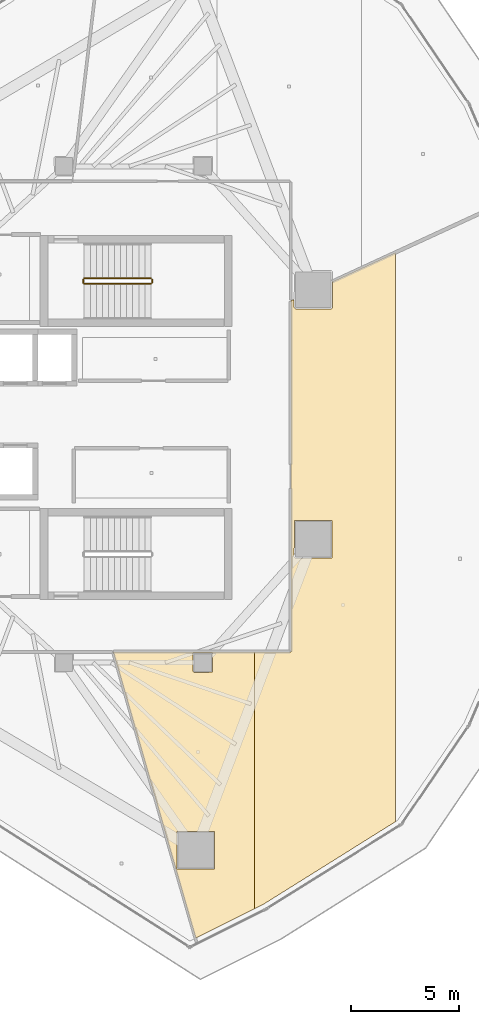
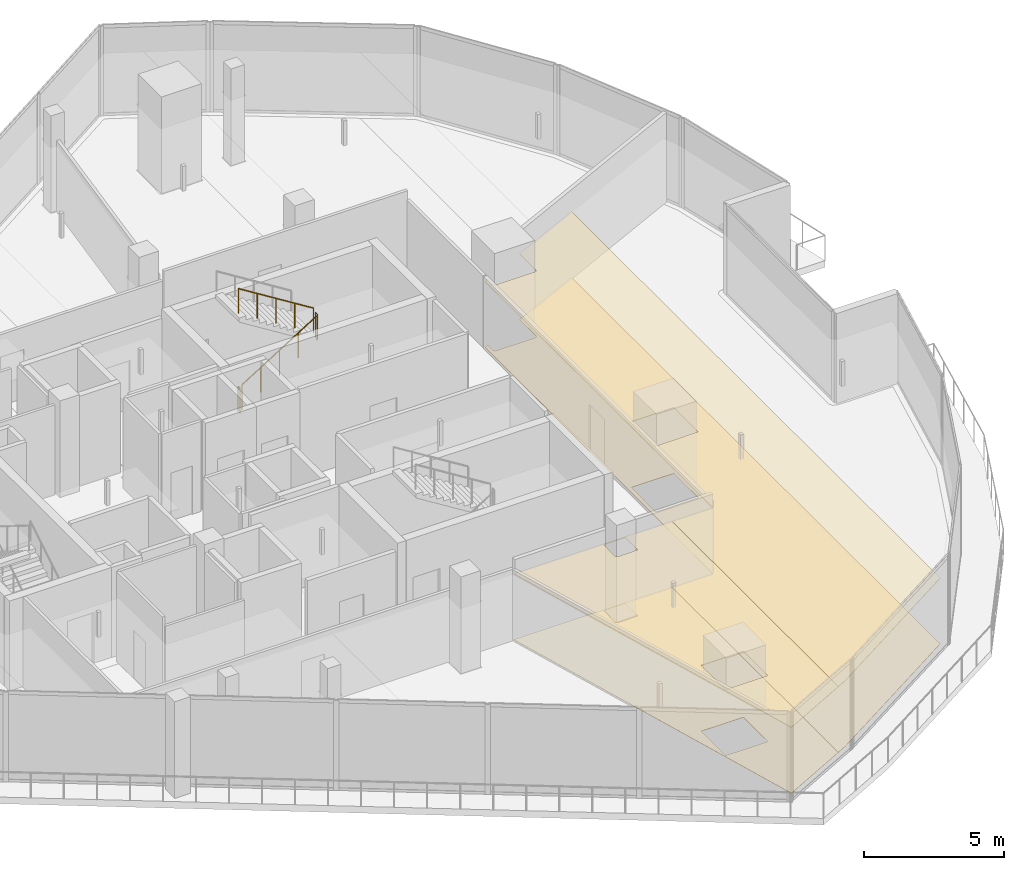
# One storey, part 30 of 31: 4 coverings, 4 railings.
"""IFC4 building model written with IfcOpenShell, lengths in metres."""

from ifc_helpers import new_model, si_unit, direction, frame, origin, origin_2d, place, context, subcontext, project, spatial, polyline, circle, outline, extrude, material, layer, layer_set, type_object, element, save


model = new_model("IFC4")

# Units and contexts
model_context = context("Model", 3, precision=1e-05, world=origin(), true_north=direction((0.0, 1.0)))
body_context = subcontext(model_context, "Body", "Model", "MODEL_VIEW")
ifc_project = project(units=[si_unit("LENGTHUNIT", "METRE"), si_unit("AREAUNIT", "SQUARE_METRE"), si_unit("VOLUMEUNIT", "CUBIC_METRE"), si_unit("PLANEANGLEUNIT", "RADIAN"), si_unit("MASSUNIT", "GRAM", prefix="KILO")], contexts=[model_context])

# Site, building, storey
site_placement = place(None, origin())
site = spatial("IfcSite", under=ifc_project, at=site_placement, CompositionType="ELEMENT")
building_placement = place(site_placement, origin())
building = spatial("IfcBuilding", under=site, at=building_placement, Name="Qorvath Tower", CompositionType="ELEMENT")
storey_placement = place(building_placement, frame((0.0, 0.0, 264.0)))
storey = spatial("IfcBuildingStorey", under=building, at=storey_placement, Name="L61", CompositionType="ELEMENT", Elevation=264.0)

# Coverings
ifc_material_1 = material(Name="Acoustic mineral fibre ceiling tile", Category="gypsum")
ifc_layer_1 = layer(ifc_material_1, 0.030029296875)
ifc_layer_set_1 = layer_set([ifc_layer_1], Name="COV-CEIL")
covering_type_1 = type_object("IfcCoveringType", Name="COV-CEIL", PredefinedType="CEILING", material=ifc_layer_set_1)
covering_1_placement = place(storey_placement, frame((0.0, 0.0, 2.85009765625)))
element("IfcCovering", 1, at=covering_1_placement, inside=storey, type_object=covering_type_1, Name="L61 Suspended Acoustic Ceiling 016", PredefinedType="CEILING", context=body_context, shape_type="SweptSolid", body=[
    extrude(outline(polyline([(-14.815673828125, -22.814453125), (-14.815673828125, -10.9619140625), (-21.330322265625, -10.962890625), (-17.52783203125, -24.17041015625), (-14.815673828125, -22.814453125)]), holes=[polyline([(-18.3828125, -20.968994140625), (-18.3828125, -19.234130859375), (-16.648193359375, -19.234130859375), (-16.648193359375, -20.968994140625), (-18.3828125, -20.968994140625)]), polyline([(-17.659912109375, -11.85009765625), (-17.642333984375, -11.007568359375), (-16.757568359375, -11.007568359375), (-16.757568359375, -11.892333984375), (-17.60009765625, -11.909912109375), (-17.659912109375, -11.85009765625)])]), origin(), (0.0, 0.0, 1.0), 0.030029296875),
])
covering_2_placement = place(storey_placement, frame((0.0, 0.0, 2.85009765625)))
element("IfcCovering", 2, at=covering_2_placement, inside=storey, type_object=covering_type_1, Name="L61 Suspended Acoustic Ceiling 017", PredefinedType="CEILING", context=body_context, shape_type="SweptSolid", body=[
    extrude(outline(polyline([(-8.301025390625, -18.788818359375), (-8.301025390625, 7.4716796875), (-11.2119140625, 6.128173828125), (-11.2119140625, 4.932861328125), (-11.271728515625, 4.872802734375), (-12.921875, 4.872802734375), (-12.981689453125, 4.932861328125), (-12.981689453125, 5.311279296875), (-13.136962890625, 5.239501953125), (-13.138427734375, -10.96142578125), (-14.815673828125, -10.9619140625), (-14.815673828125, -22.814453125), (-14.4140625, -22.613525390625), (-8.301025390625, -18.788818359375)]), holes=[polyline([(-12.981689453125, -6.5830078125), (-12.964111328125, -4.890380859375), (-11.2294921875, -4.890380859375), (-11.2294921875, -6.625244140625), (-12.921875, -6.642822265625), (-12.981689453125, -6.5830078125)])]), origin(), (0.0, 0.0, 1.0), 0.030029296875),
])
ifc_material_2 = material(Name="Low-VOC modular carpet tile", Category="textile")
ifc_layer_2 = layer(ifc_material_2, 0.014892578125)
ifc_layer_set_2 = layer_set([ifc_layer_2], Name="COV-FLOOR-CPT")
covering_type_2 = type_object("IfcCoveringType", Name="COV-FLOOR-CPT", PredefinedType="FLOORING", material=ifc_layer_set_2)
covering_3_placement = place(storey_placement, origin())
element("IfcCovering", 3, at=covering_3_placement, inside=storey, type_object=covering_type_2, Name="L61 Floor Finish 016", PredefinedType="FLOORING", context=body_context, shape_type="SweptSolid", body=[
    extrude(outline(polyline([(-14.815673828125, -22.814453125), (-14.815673828125, -10.9619140625), (-21.330322265625, -10.962890625), (-17.52783203125, -24.17041015625), (-14.815673828125, -22.814453125)]), holes=[polyline([(-18.3828125, -20.968994140625), (-18.3828125, -19.234130859375), (-16.648193359375, -19.234130859375), (-16.648193359375, -20.968994140625), (-18.3828125, -20.968994140625)]), polyline([(-17.659912109375, -11.85009765625), (-17.642333984375, -11.007568359375), (-16.757568359375, -11.007568359375), (-16.757568359375, -11.892333984375), (-17.60009765625, -11.909912109375), (-17.659912109375, -11.85009765625)])]), origin(), (0.0, 0.0, 1.0), 0.014892578125),
])
covering_4_placement = place(storey_placement, origin())
element("IfcCovering", 4, at=covering_4_placement, inside=storey, type_object=covering_type_2, Name="L61 Floor Finish 017", PredefinedType="FLOORING", context=body_context, shape_type="SweptSolid", body=[
    extrude(outline(polyline([(-8.301025390625, -18.788818359375), (-8.301025390625, 7.4716796875), (-11.2119140625, 6.128173828125), (-11.2119140625, 4.932861328125), (-11.271728515625, 4.872802734375), (-12.921875, 4.872802734375), (-12.981689453125, 4.932861328125), (-12.981689453125, 5.311279296875), (-13.136962890625, 5.239501953125), (-13.138427734375, -10.96142578125), (-14.815673828125, -10.9619140625), (-14.815673828125, -22.814453125), (-14.4140625, -22.613525390625), (-8.301025390625, -18.788818359375)]), holes=[polyline([(-12.981689453125, -6.5830078125), (-12.964111328125, -4.890380859375), (-11.2294921875, -4.890380859375), (-11.2294921875, -6.625244140625), (-12.921875, -6.642822265625), (-12.981689453125, -6.5830078125)])]), origin(), (0.0, 0.0, 1.0), 0.014892578125),
])

# Railings
ifc_material_3 = material(Name="Painted galvanised steel", Category="steel")
railing_type = type_object("IfcRailingType", Name="RL-STR-GRD", PredefinedType="GUARDRAIL", material=ifc_material_3)
railing_1_placement = place(storey_placement, frame((-22.669921875, 6.030029296875, 0.175048828125)))
element("IfcRailing", 5, at=railing_1_placement, inside=storey, type_object=railing_type, Name="L61 TS1 stair guard 1", PredefinedType="GUARDRAIL", context=body_context, shape_type="SweptSolid", body=[
    extrude(circle(Radius=0.02392578125, at=origin_2d()), frame((0.0, 0.0, 1.076171875), z_axis=(0.847979421464, 0.0, 0.530029150871), x_axis=(0.0, 1.0, 0.0)), (0.0, 0.0, 1.0), 3.632080078125),
    extrude(circle(Radius=0.02099609375, at=origin_2d()), origin(), (0.0, 0.0, 1.0), 1.052001953125),
    extrude(circle(Radius=0.02099609375, at=origin_2d()), frame((0.77001953125, 0.0, 0.481201171875)), (0.0, 0.0, 1.0), 1.052001953125),
    extrude(circle(Radius=0.02099609375, at=origin_2d()), frame((1.5400390625, 0.0, 0.96240234375)), (0.0, 0.0, 1.0), 1.052001953125),
    extrude(circle(Radius=0.02099609375, at=origin_2d()), frame((2.309814453125, 0.0, 1.44384765625)), (0.0, 0.0, 1.0), 1.052001953125),
    extrude(circle(Radius=0.02099609375, at=origin_2d()), frame((3.079833984375, 0.0, 1.925048828125)), (0.0, 0.0, 1.0), 1.052001953125),
])
railing_2_placement = place(storey_placement, frame((-19.5400390625, 6.080078125, 2.10009765625)))
element("IfcRailing", 6, at=railing_2_placement, inside=storey, type_object=railing_type, Name="L61 TS1 stair guard 2", PredefinedType="GUARDRAIL", context=body_context, shape_type="SweptSolid", body=[
    extrude(circle(Radius=0.02392578125, at=origin_2d()), frame((0.0, 0.0, 1.076171875), z_axis=(0.0, 1.0, 0.0), x_axis=(-1.0, 0.0, 0.0)), (0.0, 0.0, 1.0), 0.14990234375),
    extrude(circle(Radius=0.02099609375, at=origin_2d()), origin(), (0.0, 0.0, 1.0), 1.052001953125),
    extrude(circle(Radius=0.02099609375, at=origin_2d()), frame((0.0, 0.14990234375, 0.0)), (0.0, 0.0, 1.0), 1.052001953125),
])
railing_3_placement = place(storey_placement, frame((-19.590087890625, 6.280029296875, 2.27490234375)))
element("IfcRailing", 7, at=railing_3_placement, inside=storey, type_object=railing_type, Name="L61 TS1 stair guard 3", PredefinedType="GUARDRAIL", context=body_context, shape_type="SweptSolid", body=[
    extrude(circle(Radius=0.02392578125, at=origin_2d()), frame((0.0, 0.0, 1.076171875), z_axis=(-0.847979421464, 0.0, 0.530029150871), x_axis=(0.0, -1.0, 0.0)), (0.0, 0.0, 1.0), 3.632080078125),
    extrude(circle(Radius=0.02099609375, at=origin_2d()), origin(), (0.0, 0.0, 1.0), 1.052001953125),
    extrude(circle(Radius=0.02099609375, at=origin_2d()), frame((-0.77001953125, 0.0, 0.481201171875)), (0.0, 0.0, 1.0), 1.052001953125),
    extrude(circle(Radius=0.02099609375, at=origin_2d()), frame((-1.5400390625, 0.0, 0.96240234375)), (0.0, 0.0, 1.0), 1.052001953125),
    extrude(circle(Radius=0.02099609375, at=origin_2d()), frame((-2.309814453125, 0.0, 1.44384765625)), (0.0, 0.0, 1.0), 1.052001953125),
    extrude(circle(Radius=0.02099609375, at=origin_2d()), frame((-3.079833984375, 0.0, 1.925048828125)), (0.0, 0.0, 1.0), 1.052001953125),
])
railing_4_placement = place(storey_placement, frame((-22.719970703125, 6.080078125, 0.0)))
element("IfcRailing", 8, at=railing_4_placement, inside=storey, type_object=railing_type, Name="L61 TS1 stair guard 4", PredefinedType="GUARDRAIL", context=body_context, shape_type="SweptSolid", body=[
    extrude(circle(Radius=0.02392578125, at=origin_2d()), frame((0.0, 0.0, 1.076171875), z_axis=(0.0, 1.0, 0.0), x_axis=(-1.0, 0.0, 0.0)), (0.0, 0.0, 1.0), 0.14990234375),
    extrude(circle(Radius=0.02099609375, at=origin_2d()), origin(), (0.0, 0.0, 1.0), 1.052001953125),
    extrude(circle(Radius=0.02099609375, at=origin_2d()), frame((0.0, 0.14990234375, 0.0)), (0.0, 0.0, 1.0), 1.052001953125),
])

save(model, "model.ifc")
